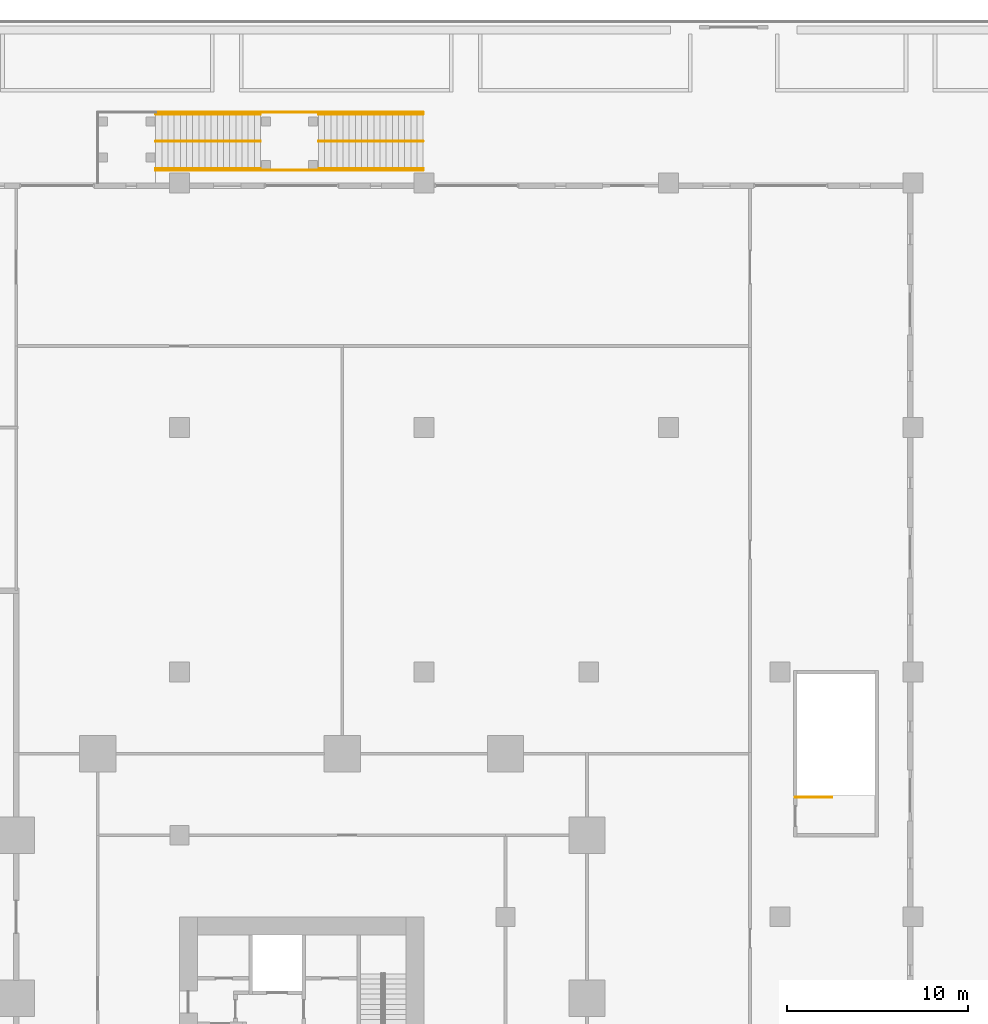
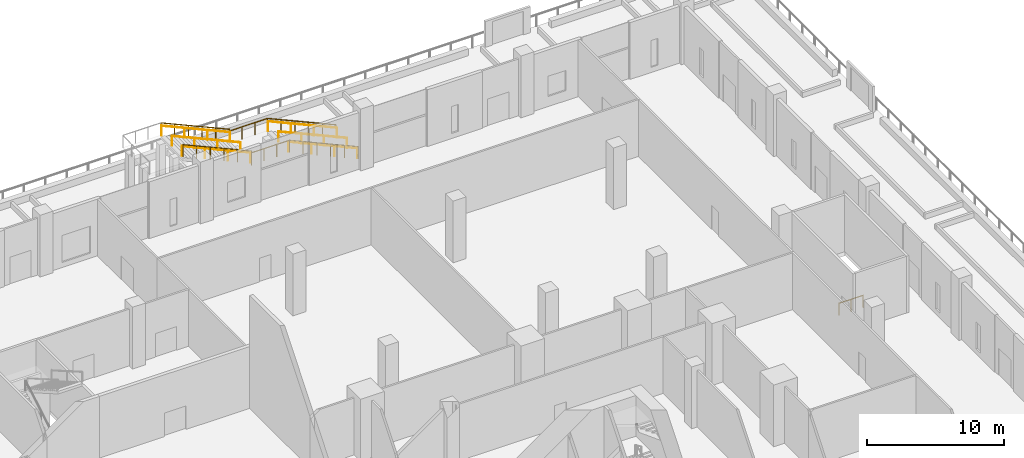
# One storey, part 47 of 47: 13 railings.
"""IFC4 building model written with IfcOpenShell, lengths in metres."""

from ifc_helpers import new_model, si_unit, direction, frame, origin, origin_2d, place, context, subcontext, project, spatial, circle, extrude, source, transform, mapped, material, type_object, element, save


model = new_model("IFC4")

# Units and contexts
model_context = context("Model", 3, precision=1e-05, world=origin(), true_north=direction((0.0, 1.0)))
body_context = subcontext(model_context, "Body", "Model", "MODEL_VIEW")
ifc_project = project(units=[si_unit("LENGTHUNIT", "METRE"), si_unit("AREAUNIT", "SQUARE_METRE"), si_unit("VOLUMEUNIT", "CUBIC_METRE"), si_unit("PLANEANGLEUNIT", "RADIAN"), si_unit("MASSUNIT", "GRAM", prefix="KILO")], contexts=[model_context])

# Site, building, storey
site_placement = place(None, origin())
site = spatial("IfcSite", under=ifc_project, at=site_placement, CompositionType="ELEMENT")
building_placement = place(site_placement, origin())
building = spatial("IfcBuilding", under=site, at=building_placement, Name="Altepetl Exchange Towers", CompositionType="ELEMENT")
storey_placement = place(building_placement, frame((0.0, 0.0, 6.0)))
storey = spatial("IfcBuildingStorey", under=building, at=storey_placement, Name="L01 Retail podium", CompositionType="ELEMENT", Elevation=6.0)

# Railings
ifc_material_1 = material(Name="Laminated glass and steel", Category="steel")
railing_type_1 = type_object("IfcRailingType", Name="Hall gallery guard 1100", PredefinedType="GUARDRAIL", material=ifc_material_1)
shared_shape_1 = source(origin(), body_context, "Body", "SweptSolid", [
    extrude(circle(Radius=0.02001953125, at=origin_2d()), origin(), (0.0, 0.0, 1.0), 1.050048828125),
])
railing_placement = place(storey_placement, frame((137.5, 56.10009765625, 0.0)))
element("IfcRailing", 1, at=railing_placement, inside=storey, type_object=railing_type_1, Name="rail:P:L01:PZ2top", PredefinedType="GUARDRAIL", context=body_context, shape_type="SweptSolid", body=[
    extrude(circle(Radius=0.02490234375, at=origin_2d()), frame((0.0, 0.0, 1.0751953125), z_axis=(1.0, 0.0, 0.0), x_axis=(0.0, 1.0, 0.0)), (0.0, 0.0, 1.0), 2.02490234375),
    mapped(shared_shape_1, transform((0.0, 0.0, 0.0))),
    mapped(shared_shape_1, transform((1.012451171875, 0.0, 0.0))),
    mapped(shared_shape_1, transform((2.02490234375, 0.0, 0.0))),
])
for number, where, name in (
    (2, (107.97998046875, 93.89990234375, 2.90283203125), "rail:P:L01:R2flightA"),
    (3, (107.97998046875, 90.699951171875, 2.90283203125), "rail:P:L01:R2flightA_in"),
    (4, (116.9599609375, 93.89990234375, 0.15283203125), "rail:P:L01:R2flightB"),
    (5, (116.9599609375, 90.699951171875, 0.15283203125), "rail:P:L01:R2flightB_in"),
):
    element("IfcRailing", number, at=place(storey_placement, frame(where)), inside=storey, type_object=railing_type_1, Name=name, PredefinedType="GUARDRAIL", context=body_context, shape_type="SweptSolid", body=[
        extrude(circle(Radius=0.02490234375, at=origin_2d()), frame((0.0, 0.0, 1.0751953125), z_axis=(-0.912148447978, 0.0, 0.409859986888), x_axis=(0.0, -1.0, 0.0)), (0.0, 0.0, 1.0), 6.336669921875),
        mapped(shared_shape_1, transform((0.0, 0.0, 0.0))),
        mapped(shared_shape_1, transform((-1.156005859375, 0.0, 0.51953125))),
        mapped(shared_shape_1, transform((-2.31201171875, 0.0, 1.038818359375))),
        mapped(shared_shape_1, transform((-3.468017578125, 0.0, 1.558349609375))),
        mapped(shared_shape_1, transform((-4.6240234375, 0.0, 2.07763671875))),
        mapped(shared_shape_1, transform((-5.780029296875, 0.0, 2.59716796875))),
    ])
for number, where, name in (
    (6, (107.97998046875, 93.89990234375, 2.75), "rail:P:L01:R2mid"),
    (7, (107.97998046875, 90.699951171875, 2.75), "rail:P:L01:R2mid_in"),
):
    element("IfcRailing", number, at=place(storey_placement, frame(where)), inside=storey, type_object=railing_type_1, Name=name, PredefinedType="GUARDRAIL", context=body_context, shape_type="SweptSolid", body=[
        extrude(circle(Radius=0.02490234375, at=origin_2d()), frame((0.0, 0.0, 1.0751953125), z_axis=(1.0, 0.0, 0.0), x_axis=(0.0, 1.0, 0.0)), (0.0, 0.0, 1.0), 3.199951171875),
        mapped(shared_shape_1, transform((0.0, 0.0, 0.0))),
        mapped(shared_shape_1, transform((1.066650390625, 0.0, 0.0))),
        mapped(shared_shape_1, transform((2.13330078125, 0.0, 0.0))),
        mapped(shared_shape_1, transform((3.199951171875, 0.0, 0.0))),
    ])
ifc_material_2 = material(Name="Stainless steel", Category="steel")
railing_type_2 = type_object("IfcRailingType", Name="Stair handrail 900", PredefinedType="HANDRAIL", material=ifc_material_2)
shared_shape_2 = source(origin(), body_context, "Body", "SweptSolid", [
    extrude(circle(Radius=0.02001953125, at=origin_2d()), origin(), (0.0, 0.0, 1.0), 0.849853515625),
])
for number, where, name in (
    (8, (107.97998046875, 90.800048828125, 2.90283203125), "rail:P:L01:R2hA_in"),
    (9, (107.97998046875, 92.300048828125, 2.90283203125), "rail:P:L01:R2hA_mid"),
    (10, (107.97998046875, 93.800048828125, 2.90283203125), "rail:P:L01:R2hA_out"),
    (11, (116.9599609375, 90.800048828125, 0.15283203125), "rail:P:L01:R2hB_in"),
    (12, (116.9599609375, 92.300048828125, 0.15283203125), "rail:P:L01:R2hB_mid"),
    (13, (116.9599609375, 93.800048828125, 0.15283203125), "rail:P:L01:R2hB_out"),
):
    element("IfcRailing", number, at=place(storey_placement, frame(where)), inside=storey, type_object=railing_type_2, Name=name, PredefinedType="HANDRAIL", context=body_context, shape_type="SweptSolid", body=[
        extrude(circle(Radius=0.02490234375, at=origin_2d()), frame((0.0, 0.0, 0.875), z_axis=(-0.912148447978, 0.0, 0.409859986888), x_axis=(0.0, -1.0, 0.0)), (0.0, 0.0, 1.0), 6.336669921875),
        mapped(shared_shape_2, transform((0.0, 0.0, 0.0))),
        mapped(shared_shape_2, transform((-1.9267578125, 0.0, 0.86572265625))),
        mapped(shared_shape_2, transform((-3.853271484375, 0.0, 1.7314453125))),
        mapped(shared_shape_2, transform((-5.780029296875, 0.0, 2.59716796875))),
    ])

save(model, "model.ifc")
